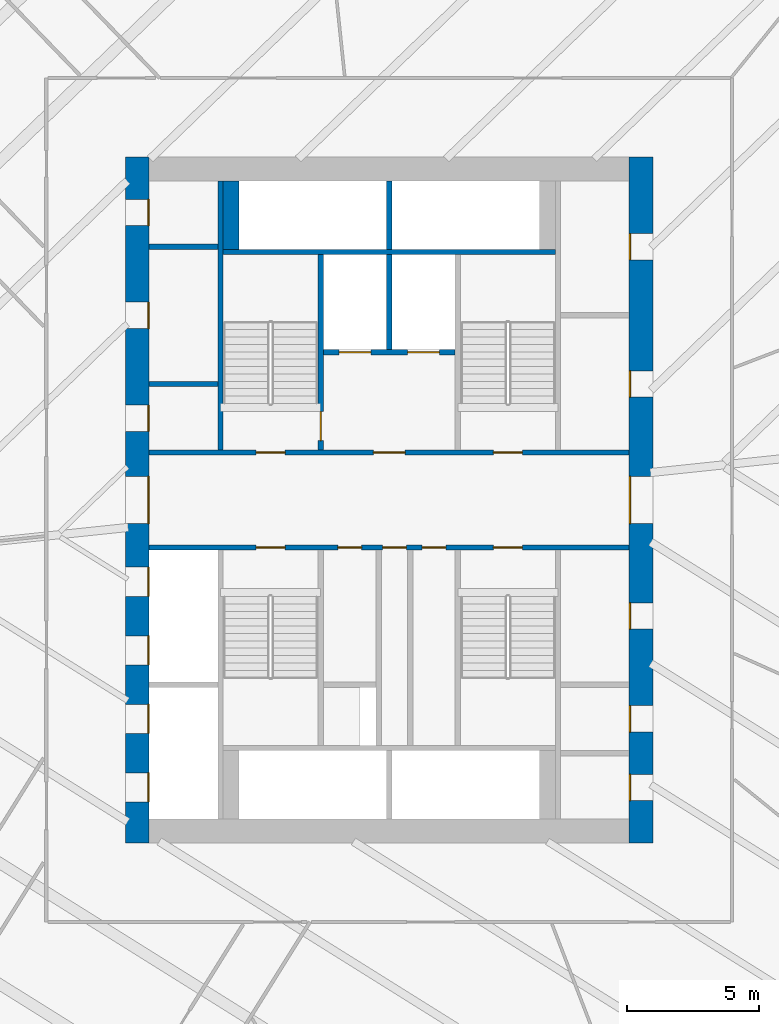
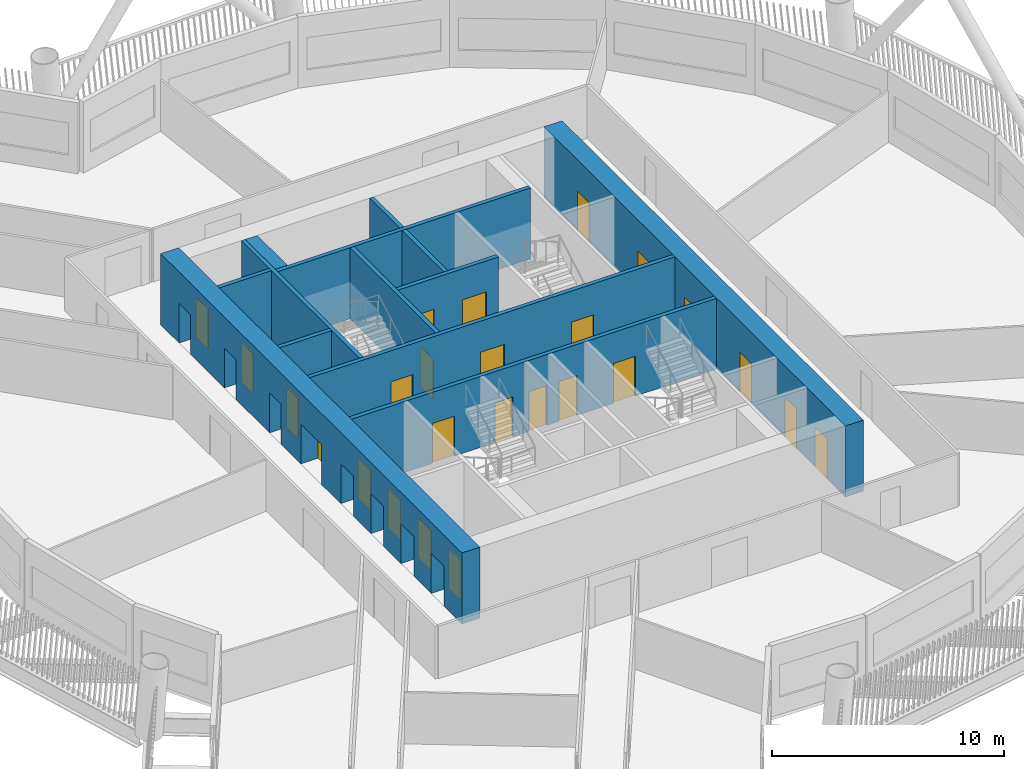
# One storey, part 5 of 22: 25 doors, 13 walls, 25 openings.
"""IFC4 building model written with IfcOpenShell, lengths in metres."""

from ifc_helpers import new_model, si_unit, direction, frame, frame_2d, origin, place, context, subcontext, project, spatial, rectangle, extrude, material, layer, layer_set, type_object, element, fill, save


model = new_model("IFC4")

# Units and contexts
model_context = context("Model", 3, precision=1e-05, world=origin(), true_north=direction((0.0, 1.0)))
body_context = subcontext(model_context, "Body", "Model", "MODEL_VIEW")
ifc_project = project(units=[si_unit("LENGTHUNIT", "METRE"), si_unit("AREAUNIT", "SQUARE_METRE"), si_unit("VOLUMEUNIT", "CUBIC_METRE"), si_unit("PLANEANGLEUNIT", "RADIAN"), si_unit("MASSUNIT", "GRAM", prefix="KILO")], contexts=[model_context])

# Site, building, storey
site_placement = place(None, origin())
site = spatial("IfcSite", under=ifc_project, at=site_placement, CompositionType="ELEMENT")
building_placement = place(site_placement, origin())
building = spatial("IfcBuilding", under=site, at=building_placement, Name="Tarsis Ring Headquarters", CompositionType="ELEMENT")
storey_placement = place(building_placement, frame((0.0, 0.0, 71.199951171875)))
storey = spatial("IfcBuildingStorey", under=building, at=storey_placement, Name="L15", CompositionType="ELEMENT", Elevation=71.199951171875)

# Walls
ifc_material_1 = material(Name="Blockwork", Category="masonry")
ifc_layer_1 = layer(ifc_material_1, 0.199951171875)
ifc_layer_set_1 = layer_set([ifc_layer_1], Name="Core blockwork wall 200")
wall_type_1 = type_object("IfcWallType", Name="Core blockwork wall 200", PredefinedType="PARTITIONING", material=ifc_layer_set_1)
for number, where, z_axis, x_axis, name in (
    (1, (-9.10009765625, 4.39990234375, 0.0), (0.0, 0.0, 1.0), (1.0, 0.0, 0.0), "Core partition WD5"),
    (2, (-9.10009765625, 9.60009765625, 0.0), (0.0, 0.0, 1.0), (1.0, 0.0, 0.0), "Core partition WD7"),
):
    element("IfcWall", number, at=place(storey_placement, frame(where, z_axis=z_axis, x_axis=x_axis)), inside=storey, type_object=wall_type_1, Name=name, PredefinedType="PARTITIONING", context=body_context, shape_type="SweptSolid", body=[
        extrude(rectangle(XDim=2.60009765625, YDim=0.199951171875, at=frame_2d((1.300048828125, 0.0))), origin(), (0.0, 0.0, 1.0), 3.739990234375),
    ])

# Wall, openings, doors
ifc_material_2 = material(Name="Concrete C60/75", Category="concrete")
ifc_layer_2 = layer(ifc_material_2, 0.89990234375)
ifc_layer_set_2 = layer_set([ifc_layer_2], Name="Core wall 900 C60/75")
wall_type_2 = type_object("IfcWallType", Name="Core wall 900 C60/75", PredefinedType="SHEAR", material=ifc_layer_set_2)
wall_1_placement = place(storey_placement, frame((-9.550048828125, -13.0, 0.0), z_axis=(0.0, 0.0, 1.0), x_axis=(0.0, 1.0, 0.0)))
wall_1 = element("IfcWall", 3, at=wall_1_placement, inside=storey, type_object=wall_type_2, Name="Core wall OW", PredefinedType="SHEAR", context=body_context, shape_type="SweptSolid", body=[
    extrude(rectangle(XDim=26.0, YDim=0.89990234375, at=frame_2d((13.0, 0.0))), origin(), (0.0, 0.0, 1.0), 3.739990234375),
])
opening_1_placement = place(wall_1_placement, frame((1.550048828125, 0.0, 0.0)))
opening_1 = element("IfcOpeningElement", 4, at=opening_1_placement, cuts=wall_1, Name="Opening LD-LR1", PredefinedType="OPENING", context=body_context, shape_type="SweptSolid", body=[
    extrude(rectangle(XDim=1.10009765625, YDim=2.10009765625, at=frame_2d((0.550048828125, 1.050048828125))), frame((0.0, 0.4599609375, 0.0), z_axis=(0.0, -1.0, 0.0), x_axis=(1.0, 0.0, 0.0)), (0.0, 0.0, 1.0), 0.919921875),
])
opening_2_placement = place(wall_1_placement, frame((4.14990234375, 0.0, 0.0)))
opening_2 = element("IfcOpeningElement", 5, at=opening_2_placement, cuts=wall_1, Name="Opening LD-LR2", PredefinedType="OPENING", context=body_context, shape_type="SweptSolid", body=[
    extrude(rectangle(XDim=1.10009765625, YDim=2.10009765625, at=frame_2d((0.550048828125, 1.050048828125))), frame((0.0, 0.4599609375, 0.0), z_axis=(0.0, -1.0, 0.0), x_axis=(1.0, 0.0, 0.0)), (0.0, 0.0, 1.0), 0.919921875),
])
opening_3_placement = place(wall_1_placement, frame((6.75, 0.0, 0.0)))
opening_3 = element("IfcOpeningElement", 6, at=opening_3_placement, cuts=wall_1, Name="Opening LD-LR3", PredefinedType="OPENING", context=body_context, shape_type="SweptSolid", body=[
    extrude(rectangle(XDim=1.10009765625, YDim=2.10009765625, at=frame_2d((0.550048828125, 1.050048828125))), frame((0.0, 0.4599609375, 0.0), z_axis=(0.0, -1.0, 0.0), x_axis=(1.0, 0.0, 0.0)), (0.0, 0.0, 1.0), 0.919921875),
])
opening_4_placement = place(wall_1_placement, frame((9.35009765625, 0.0, 0.0)))
opening_4 = element("IfcOpeningElement", 7, at=opening_4_placement, cuts=wall_1, Name="Opening LD-LR4", PredefinedType="OPENING", context=body_context, shape_type="SweptSolid", body=[
    extrude(rectangle(XDim=1.10009765625, YDim=2.10009765625, at=frame_2d((0.550048828125, 1.050048828125))), frame((0.0, 0.4599609375, 0.0), z_axis=(0.0, -1.0, 0.0), x_axis=(1.0, 0.0, 0.0)), (0.0, 0.0, 1.0), 0.919921875),
])
opening_5_placement = place(wall_1_placement, frame((12.10009765625, 0.0, 0.0)))
opening_5 = element("IfcOpeningElement", 8, at=opening_5_placement, cuts=wall_1, Name="Opening L15-C05", PredefinedType="OPENING", context=body_context, shape_type="SweptSolid", body=[
    extrude(rectangle(XDim=1.800048828125, YDim=2.10009765625, at=frame_2d((0.89990234375, 1.050048828125))), frame((0.0, 0.4599609375, 0.0), z_axis=(0.0, -1.0, 0.0), x_axis=(1.0, 0.0, 0.0)), (0.0, 0.0, 1.0), 0.919921875),
])
opening_6_placement = place(wall_1_placement, frame((15.60009765625, 0.0, 0.0)))
opening_6 = element("IfcOpeningElement", 9, at=opening_6_placement, cuts=wall_1, Name="Opening L15-C06", PredefinedType="OPENING", context=body_context, shape_type="SweptSolid", body=[
    extrude(rectangle(XDim=1.0, YDim=2.10009765625, at=frame_2d((0.5, 1.050048828125))), frame((0.0, 0.4599609375, 0.0), z_axis=(0.0, -1.0, 0.0), x_axis=(1.0, 0.0, 0.0)), (0.0, 0.0, 1.0), 0.919921875),
])
opening_7_placement = place(wall_1_placement, frame((19.5, 0.0, 0.0)))
opening_7 = element("IfcOpeningElement", 10, at=opening_7_placement, cuts=wall_1, Name="Opening L15-C07", PredefinedType="OPENING", context=body_context, shape_type="SweptSolid", body=[
    extrude(rectangle(XDim=1.0, YDim=2.10009765625, at=frame_2d((0.5, 1.050048828125))), frame((0.0, 0.4599609375, 0.0), z_axis=(0.0, -1.0, 0.0), x_axis=(1.0, 0.0, 0.0)), (0.0, 0.0, 1.0), 0.919921875),
])
opening_8_placement = place(wall_1_placement, frame((23.39990234375, 0.0, 0.0)))
opening_8 = element("IfcOpeningElement", 11, at=opening_8_placement, cuts=wall_1, Name="Opening L15-C08", PredefinedType="OPENING", context=body_context, shape_type="SweptSolid", body=[
    extrude(rectangle(XDim=1.0, YDim=2.10009765625, at=frame_2d((0.5, 1.050048828125))), frame((0.0, 0.4599609375, 0.0), z_axis=(0.0, -1.0, 0.0), x_axis=(1.0, 0.0, 0.0)), (0.0, 0.0, 1.0), 0.919921875),
])
ifc_material_3 = material(Name="Steel S355", Category="steel")
door_type_1 = type_object("IfcDoorType", Name="Core entry door 1800x2100", OperationType="DOUBLE_DOOR_SINGLE_SWING", PredefinedType="DOOR", material=ifc_material_3)
door_1_placement = place(opening_5_placement, origin())
door_1 = element("IfcDoor", 12, at=door_1_placement, inside=storey, type_object=door_type_1, Name="Core entry door L15", OperationType="DOUBLE_DOOR_SINGLE_SWING", OverallHeight=2.10009765625, OverallWidth=1.800048828125, PredefinedType="DOOR", context=body_context, shape_type="SweptSolid", body=[
    extrude(rectangle(XDim=1.800048828125, YDim=2.10009765625, at=frame_2d((0.89990234375, 1.050048828125))), frame((0.0, -0.39990234375, 0.0), z_axis=(0.0, -1.0, 0.0), x_axis=(1.0, 0.0, 0.0)), (0.0, 0.0, 1.0), 0.050048828125),
])
fill(opening_5, door_1)
door_type_2 = type_object("IfcDoorType", Name="Core room door 1000x2100", OperationType="SINGLE_SWING_LEFT", PredefinedType="DOOR", material=ifc_material_3)
door_2_placement = place(opening_6_placement, origin())
door_2 = element("IfcDoor", 13, at=door_2_placement, inside=storey, type_object=door_type_2, Name="Core room door L15", OperationType="SINGLE_SWING_LEFT", OverallHeight=2.10009765625, OverallWidth=1.0, PredefinedType="DOOR", context=body_context, shape_type="SweptSolid", body=[
    extrude(rectangle(XDim=1.0, YDim=2.10009765625, at=frame_2d((0.5, 1.050048828125))), frame((0.0, -0.39990234375, 0.0), z_axis=(0.0, -1.0, 0.0), x_axis=(1.0, 0.0, 0.0)), (0.0, 0.0, 1.0), 0.050048828125),
])
fill(opening_6, door_2)
door_3_placement = place(opening_7_placement, origin())
door_3 = element("IfcDoor", 14, at=door_3_placement, inside=storey, type_object=door_type_2, Name="Core room door L15", OperationType="SINGLE_SWING_LEFT", OverallHeight=2.10009765625, OverallWidth=1.0, PredefinedType="DOOR", context=body_context, shape_type="SweptSolid", body=[
    extrude(rectangle(XDim=1.0, YDim=2.10009765625, at=frame_2d((0.5, 1.050048828125))), frame((0.0, -0.39990234375, 0.0), z_axis=(0.0, -1.0, 0.0), x_axis=(1.0, 0.0, 0.0)), (0.0, 0.0, 1.0), 0.050048828125),
])
fill(opening_7, door_3)
door_4_placement = place(opening_8_placement, origin())
door_4 = element("IfcDoor", 15, at=door_4_placement, inside=storey, type_object=door_type_2, Name="Core room door L15", OperationType="SINGLE_SWING_LEFT", OverallHeight=2.10009765625, OverallWidth=1.0, PredefinedType="DOOR", context=body_context, shape_type="SweptSolid", body=[
    extrude(rectangle(XDim=1.0, YDim=2.10009765625, at=frame_2d((0.5, 1.050048828125))), frame((0.0, -0.39990234375, 0.0), z_axis=(0.0, -1.0, 0.0), x_axis=(1.0, 0.0, 0.0)), (0.0, 0.0, 1.0), 0.050048828125),
])
fill(opening_8, door_4)
door_type_3 = type_object("IfcDoorType", Name="Landing door 1100x2100", OperationType="SLIDING_TO_LEFT", PredefinedType="DOOR", material=ifc_material_3)
door_5_placement = place(opening_1_placement, origin())
door_5 = element("IfcDoor", 16, at=door_5_placement, inside=storey, type_object=door_type_3, Name="Landing door LR1 L15", OperationType="SLIDING_TO_LEFT", OverallHeight=2.10009765625, OverallWidth=1.10009765625, PredefinedType="DOOR", context=body_context, shape_type="SweptSolid", body=[
    extrude(rectangle(XDim=1.10009765625, YDim=2.10009765625, at=frame_2d((0.550048828125, 1.050048828125))), frame((0.0, -0.39990234375, 0.0), z_axis=(0.0, -1.0, 0.0), x_axis=(1.0, 0.0, 0.0)), (0.0, 0.0, 1.0), 0.050048828125),
])
fill(opening_1, door_5)
door_6_placement = place(opening_2_placement, origin())
door_6 = element("IfcDoor", 17, at=door_6_placement, inside=storey, type_object=door_type_3, Name="Landing door LR2 L15", OperationType="SLIDING_TO_LEFT", OverallHeight=2.10009765625, OverallWidth=1.10009765625, PredefinedType="DOOR", context=body_context, shape_type="SweptSolid", body=[
    extrude(rectangle(XDim=1.10009765625, YDim=2.10009765625, at=frame_2d((0.550048828125, 1.050048828125))), frame((0.0, -0.39990234375, 0.0), z_axis=(0.0, -1.0, 0.0), x_axis=(1.0, 0.0, 0.0)), (0.0, 0.0, 1.0), 0.050048828125),
])
fill(opening_2, door_6)
door_7_placement = place(opening_3_placement, origin())
door_7 = element("IfcDoor", 18, at=door_7_placement, inside=storey, type_object=door_type_3, Name="Landing door LR3 L15", OperationType="SLIDING_TO_LEFT", OverallHeight=2.10009765625, OverallWidth=1.10009765625, PredefinedType="DOOR", context=body_context, shape_type="SweptSolid", body=[
    extrude(rectangle(XDim=1.10009765625, YDim=2.10009765625, at=frame_2d((0.550048828125, 1.050048828125))), frame((0.0, -0.39990234375, 0.0), z_axis=(0.0, -1.0, 0.0), x_axis=(1.0, 0.0, 0.0)), (0.0, 0.0, 1.0), 0.050048828125),
])
fill(opening_3, door_7)
door_8_placement = place(opening_4_placement, origin())
door_8 = element("IfcDoor", 19, at=door_8_placement, inside=storey, type_object=door_type_3, Name="Landing door LR4 L15", OperationType="SLIDING_TO_LEFT", OverallHeight=2.10009765625, OverallWidth=1.10009765625, PredefinedType="DOOR", context=body_context, shape_type="SweptSolid", body=[
    extrude(rectangle(XDim=1.10009765625, YDim=2.10009765625, at=frame_2d((0.550048828125, 1.050048828125))), frame((0.0, -0.39990234375, 0.0), z_axis=(0.0, -1.0, 0.0), x_axis=(1.0, 0.0, 0.0)), (0.0, 0.0, 1.0), 0.050048828125),
])
fill(opening_4, door_8)

wall_2_placement = place(storey_placement, frame((9.550048828125, -13.0, 0.0), z_axis=(0.0, 0.0, 1.0), x_axis=(0.0, 1.0, 0.0)))
wall_2 = element("IfcWall", 20, at=wall_2_placement, inside=storey, type_object=wall_type_2, Name="Core wall OE", PredefinedType="SHEAR", context=body_context, shape_type="SweptSolid", body=[
    extrude(rectangle(XDim=26.0, YDim=0.89990234375, at=frame_2d((13.0, 0.0))), origin(), (0.0, 0.0, 1.0), 3.739990234375),
])
opening_9_placement = place(wall_2_placement, frame((1.60009765625, 0.0, 0.0)))
opening_9 = element("IfcOpeningElement", 21, at=opening_9_placement, cuts=wall_2, Name="Opening L15-C09", PredefinedType="OPENING", context=body_context, shape_type="SweptSolid", body=[
    extrude(rectangle(XDim=1.0, YDim=2.10009765625, at=frame_2d((0.5, 1.050048828125))), frame((0.0, 0.4599609375, 0.0), z_axis=(0.0, -1.0, 0.0), x_axis=(1.0, 0.0, 0.0)), (0.0, 0.0, 1.0), 0.919921875),
])
opening_10_placement = place(wall_2_placement, frame((4.199951171875, 0.0, 0.0)))
opening_10 = element("IfcOpeningElement", 22, at=opening_10_placement, cuts=wall_2, Name="Opening L15-C10", PredefinedType="OPENING", context=body_context, shape_type="SweptSolid", body=[
    extrude(rectangle(XDim=1.0, YDim=2.10009765625, at=frame_2d((0.5, 1.050048828125))), frame((0.0, 0.4599609375, 0.0), z_axis=(0.0, -1.0, 0.0), x_axis=(1.0, 0.0, 0.0)), (0.0, 0.0, 1.0), 0.919921875),
])
opening_11_placement = place(wall_2_placement, frame((8.10009765625, 0.0, 0.0)))
opening_11 = element("IfcOpeningElement", 23, at=opening_11_placement, cuts=wall_2, Name="Opening L15-C11", PredefinedType="OPENING", context=body_context, shape_type="SweptSolid", body=[
    extrude(rectangle(XDim=1.0, YDim=2.10009765625, at=frame_2d((0.5, 1.050048828125))), frame((0.0, 0.4599609375, 0.0), z_axis=(0.0, -1.0, 0.0), x_axis=(1.0, 0.0, 0.0)), (0.0, 0.0, 1.0), 0.919921875),
])
opening_12_placement = place(wall_2_placement, frame((12.10009765625, 0.0, 0.0)))
opening_12 = element("IfcOpeningElement", 24, at=opening_12_placement, cuts=wall_2, Name="Opening L15-C12", PredefinedType="OPENING", context=body_context, shape_type="SweptSolid", body=[
    extrude(rectangle(XDim=1.800048828125, YDim=2.10009765625, at=frame_2d((0.89990234375, 1.050048828125))), frame((0.0, 0.4599609375, 0.0), z_axis=(0.0, -1.0, 0.0), x_axis=(1.0, 0.0, 0.0)), (0.0, 0.0, 1.0), 0.919921875),
])
opening_13_placement = place(wall_2_placement, frame((16.89990234375, 0.0, 0.0)))
opening_13 = element("IfcOpeningElement", 25, at=opening_13_placement, cuts=wall_2, Name="Opening L15-C13", PredefinedType="OPENING", context=body_context, shape_type="SweptSolid", body=[
    extrude(rectangle(XDim=1.0, YDim=2.10009765625, at=frame_2d((0.5, 1.050048828125))), frame((0.0, 0.4599609375, 0.0), z_axis=(0.0, -1.0, 0.0), x_axis=(1.0, 0.0, 0.0)), (0.0, 0.0, 1.0), 0.919921875),
])
opening_14_placement = place(wall_2_placement, frame((22.10009765625, 0.0, 0.0)))
opening_14 = element("IfcOpeningElement", 26, at=opening_14_placement, cuts=wall_2, Name="Opening L15-C14", PredefinedType="OPENING", context=body_context, shape_type="SweptSolid", body=[
    extrude(rectangle(XDim=1.0, YDim=2.10009765625, at=frame_2d((0.5, 1.050048828125))), frame((0.0, 0.4599609375, 0.0), z_axis=(0.0, -1.0, 0.0), x_axis=(1.0, 0.0, 0.0)), (0.0, 0.0, 1.0), 0.919921875),
])
door_9_placement = place(opening_12_placement, origin())
door_9 = element("IfcDoor", 27, at=door_9_placement, inside=storey, type_object=door_type_1, Name="Core entry door L15", OperationType="DOUBLE_DOOR_SINGLE_SWING", OverallHeight=2.10009765625, OverallWidth=1.800048828125, PredefinedType="DOOR", context=body_context, shape_type="SweptSolid", body=[
    extrude(rectangle(XDim=1.800048828125, YDim=2.10009765625, at=frame_2d((0.89990234375, 1.050048828125))), frame((0.0, 0.4501953125, 0.0), z_axis=(0.0, -1.0, 0.0), x_axis=(1.0, 0.0, 0.0)), (0.0, 0.0, 1.0), 0.050048828125),
])
fill(opening_12, door_9)
door_10_placement = place(opening_9_placement, origin())
door_10 = element("IfcDoor", 28, at=door_10_placement, inside=storey, type_object=door_type_2, Name="Core room door L15", OperationType="SINGLE_SWING_LEFT", OverallHeight=2.10009765625, OverallWidth=1.0, PredefinedType="DOOR", context=body_context, shape_type="SweptSolid", body=[
    extrude(rectangle(XDim=1.0, YDim=2.10009765625, at=frame_2d((0.5, 1.050048828125))), frame((0.0, 0.4501953125, 0.0), z_axis=(0.0, -1.0, 0.0), x_axis=(1.0, 0.0, 0.0)), (0.0, 0.0, 1.0), 0.050048828125),
])
fill(opening_9, door_10)
door_11_placement = place(opening_10_placement, origin())
door_11 = element("IfcDoor", 29, at=door_11_placement, inside=storey, type_object=door_type_2, Name="Core room door L15", OperationType="SINGLE_SWING_LEFT", OverallHeight=2.10009765625, OverallWidth=1.0, PredefinedType="DOOR", context=body_context, shape_type="SweptSolid", body=[
    extrude(rectangle(XDim=1.0, YDim=2.10009765625, at=frame_2d((0.5, 1.050048828125))), frame((0.0, 0.4501953125, 0.0), z_axis=(0.0, -1.0, 0.0), x_axis=(1.0, 0.0, 0.0)), (0.0, 0.0, 1.0), 0.050048828125),
])
fill(opening_10, door_11)
door_12_placement = place(opening_11_placement, origin())
door_12 = element("IfcDoor", 30, at=door_12_placement, inside=storey, type_object=door_type_2, Name="Core room door L15", OperationType="SINGLE_SWING_LEFT", OverallHeight=2.10009765625, OverallWidth=1.0, PredefinedType="DOOR", context=body_context, shape_type="SweptSolid", body=[
    extrude(rectangle(XDim=1.0, YDim=2.10009765625, at=frame_2d((0.5, 1.050048828125))), frame((0.0, 0.4501953125, 0.0), z_axis=(0.0, -1.0, 0.0), x_axis=(1.0, 0.0, 0.0)), (0.0, 0.0, 1.0), 0.050048828125),
])
fill(opening_11, door_12)
door_13_placement = place(opening_13_placement, origin())
door_13 = element("IfcDoor", 31, at=door_13_placement, inside=storey, type_object=door_type_2, Name="Core room door L15", OperationType="SINGLE_SWING_LEFT", OverallHeight=2.10009765625, OverallWidth=1.0, PredefinedType="DOOR", context=body_context, shape_type="SweptSolid", body=[
    extrude(rectangle(XDim=1.0, YDim=2.10009765625, at=frame_2d((0.5, 1.050048828125))), frame((0.0, 0.4501953125, 0.0), z_axis=(0.0, -1.0, 0.0), x_axis=(1.0, 0.0, 0.0)), (0.0, 0.0, 1.0), 0.050048828125),
])
fill(opening_13, door_13)
door_14_placement = place(opening_14_placement, origin())
door_14 = element("IfcDoor", 32, at=door_14_placement, inside=storey, type_object=door_type_2, Name="Core room door L15", OperationType="SINGLE_SWING_LEFT", OverallHeight=2.10009765625, OverallWidth=1.0, PredefinedType="DOOR", context=body_context, shape_type="SweptSolid", body=[
    extrude(rectangle(XDim=1.0, YDim=2.10009765625, at=frame_2d((0.5, 1.050048828125))), frame((0.0, 0.4501953125, 0.0), z_axis=(0.0, -1.0, 0.0), x_axis=(1.0, 0.0, 0.0)), (0.0, 0.0, 1.0), 0.050048828125),
])
fill(opening_14, door_14)

# Wall
ifc_material_4 = material(Name="Concrete C32/40", Category="concrete")
ifc_layer_3 = layer(ifc_material_4, 0.60009765625)
ifc_layer_set_3 = layer_set([ifc_layer_3], Name="Shaft end wall 600 C32/40")
wall_type_3 = type_object("IfcWallType", Name="Shaft end wall 600 C32/40", PredefinedType="SOLIDWALL", material=ifc_layer_set_3)
wall_3_placement = place(storey_placement, frame((-6.0, 9.5, 0.0), z_axis=(0.0, 0.0, 1.0), x_axis=(0.0, 1.0, 0.0)))
element("IfcWall", 33, at=wall_3_placement, inside=storey, type_object=wall_type_3, Name="Core shaft wall NNE1", PredefinedType="SOLIDWALL", context=body_context, shape_type="SweptSolid", body=[
    extrude(rectangle(XDim=2.60009765625, YDim=0.60009765625, at=frame_2d((1.300048828125, 0.0))), origin(), (0.0, 0.0, 1.0), 3.739990234375),
])

# Wall, openings, doors
ifc_layer_4 = layer(ifc_material_4, 0.199951171875)
ifc_layer_set_4 = layer_set([ifc_layer_4], Name="Shaft wall 200 C32/40")
wall_type_4 = type_object("IfcWallType", Name="Shaft wall 200 C32/40", PredefinedType="SOLIDWALL", material=ifc_layer_set_4)
wall_4_placement = place(storey_placement, frame((-9.10009765625, 1.800048828125, 0.0), z_axis=(0.0, 0.0, 1.0), x_axis=(1.0, 0.0, 0.0)))
wall_4 = element("IfcWall", 34, at=wall_4_placement, inside=storey, type_object=wall_type_4, Name="Core shaft wall CN", PredefinedType="SOLIDWALL", context=body_context, shape_type="SweptSolid", body=[
    extrude(rectangle(XDim=18.2001953125, YDim=0.199951171875, at=frame_2d((9.10009765625, 0.0))), origin(), (0.0, 0.0, 1.0), 3.739990234375),
])
opening_15_placement = place(wall_4_placement, frame((4.050048828125, 0.0, 0.0)))
opening_15 = element("IfcOpeningElement", 35, at=opening_15_placement, cuts=wall_4, Name="Opening L15-C15", PredefinedType="OPENING", context=body_context, shape_type="SweptSolid", body=[
    extrude(rectangle(XDim=1.10009765625, YDim=2.10009765625, at=frame_2d((0.550048828125, 1.050048828125))), frame((0.0, 0.10986328125, 0.0), z_axis=(0.0, -1.0, 0.0), x_axis=(1.0, 0.0, 0.0)), (0.0, 0.0, 1.0), 0.219970703125),
])
opening_16_placement = place(wall_4_placement, frame((8.5, 0.0, 0.0)))
opening_16 = element("IfcOpeningElement", 36, at=opening_16_placement, cuts=wall_4, Name="Opening L15-C16", PredefinedType="OPENING", context=body_context, shape_type="SweptSolid", body=[
    extrude(rectangle(XDim=1.199951171875, YDim=2.10009765625, at=frame_2d((0.60009765625, 1.050048828125))), frame((0.0, 0.10986328125, 0.0), z_axis=(0.0, -1.0, 0.0), x_axis=(1.0, 0.0, 0.0)), (0.0, 0.0, 1.0), 0.219970703125),
])
opening_17_placement = place(wall_4_placement, frame((13.050048828125, 0.0, 0.0)))
opening_17 = element("IfcOpeningElement", 37, at=opening_17_placement, cuts=wall_4, Name="Opening L15-C17", PredefinedType="OPENING", context=body_context, shape_type="SweptSolid", body=[
    extrude(rectangle(XDim=1.10009765625, YDim=2.10009765625, at=frame_2d((0.550048828125, 1.050048828125))), frame((0.0, 0.10986328125, 0.0), z_axis=(0.0, -1.0, 0.0), x_axis=(1.0, 0.0, 0.0)), (0.0, 0.0, 1.0), 0.219970703125),
])
door_type_4 = type_object("IfcDoorType", Name="Firefighting lobby door 1200x2100", OperationType="DOUBLE_DOOR_SINGLE_SWING", PredefinedType="DOOR", material=ifc_material_3)
door_15_placement = place(opening_16_placement, origin())
door_15 = element("IfcDoor", 38, at=door_15_placement, inside=storey, type_object=door_type_4, Name="Firefighting lobby door L15", OperationType="DOUBLE_DOOR_SINGLE_SWING", OverallHeight=2.10009765625, OverallWidth=1.199951171875, PredefinedType="DOOR", context=body_context, shape_type="SweptSolid", body=[
    extrude(rectangle(XDim=1.199951171875, YDim=2.10009765625, at=frame_2d((0.60009765625, 1.050048828125))), frame((0.0, 0.02490234375, 0.0), z_axis=(0.0, -1.0, 0.0), x_axis=(1.0, 0.0, 0.0)), (0.0, 0.0, 1.0), 0.050048828125),
])
fill(opening_16, door_15)
door_type_5 = type_object("IfcDoorType", Name="Stair door 1100x2100", OperationType="SINGLE_SWING_LEFT", PredefinedType="DOOR", material=ifc_material_3)
door_16_placement = place(opening_15_placement, origin())
door_16 = element("IfcDoor", 39, at=door_16_placement, inside=storey, type_object=door_type_5, Name="Stair door L15", OperationType="SINGLE_SWING_LEFT", OverallHeight=2.10009765625, OverallWidth=1.10009765625, PredefinedType="DOOR", context=body_context, shape_type="SweptSolid", body=[
    extrude(rectangle(XDim=1.10009765625, YDim=2.10009765625, at=frame_2d((0.550048828125, 1.050048828125))), frame((0.0, 0.02490234375, 0.0), z_axis=(0.0, -1.0, 0.0), x_axis=(1.0, 0.0, 0.0)), (0.0, 0.0, 1.0), 0.050048828125),
])
fill(opening_15, door_16)
door_17_placement = place(opening_17_placement, origin())
door_17 = element("IfcDoor", 40, at=door_17_placement, inside=storey, type_object=door_type_5, Name="Stair door L15", OperationType="SINGLE_SWING_LEFT", OverallHeight=2.10009765625, OverallWidth=1.10009765625, PredefinedType="DOOR", context=body_context, shape_type="SweptSolid", body=[
    extrude(rectangle(XDim=1.10009765625, YDim=2.10009765625, at=frame_2d((0.550048828125, 1.050048828125))), frame((0.0, 0.02490234375, 0.0), z_axis=(0.0, -1.0, 0.0), x_axis=(1.0, 0.0, 0.0)), (0.0, 0.0, 1.0), 0.050048828125),
])
fill(opening_17, door_17)

wall_5_placement = place(storey_placement, frame((-9.10009765625, -1.800048828125, 0.0), z_axis=(0.0, 0.0, 1.0), x_axis=(1.0, 0.0, 0.0)))
wall_5 = element("IfcWall", 41, at=wall_5_placement, inside=storey, type_object=wall_type_4, Name="Core shaft wall CS", PredefinedType="SOLIDWALL", context=body_context, shape_type="SweptSolid", body=[
    extrude(rectangle(XDim=18.2001953125, YDim=0.199951171875, at=frame_2d((9.10009765625, 0.0))), origin(), (0.0, 0.0, 1.0), 3.739990234375),
])
opening_18_placement = place(wall_5_placement, frame((4.050048828125, 0.0, 0.0)))
opening_18 = element("IfcOpeningElement", 42, at=opening_18_placement, cuts=wall_5, Name="Opening L15-C18", PredefinedType="OPENING", context=body_context, shape_type="SweptSolid", body=[
    extrude(rectangle(XDim=1.10009765625, YDim=2.10009765625, at=frame_2d((0.550048828125, 1.050048828125))), frame((0.0, 0.10986328125, 0.0), z_axis=(0.0, -1.0, 0.0), x_axis=(1.0, 0.0, 0.0)), (0.0, 0.0, 1.0), 0.219970703125),
])
opening_19_placement = place(wall_5_placement, frame((7.14990234375, 0.0, 0.0)))
opening_19 = element("IfcOpeningElement", 43, at=opening_19_placement, cuts=wall_5, Name="Opening L15-C19", PredefinedType="OPENING", context=body_context, shape_type="SweptSolid", body=[
    extrude(rectangle(XDim=0.89990234375, YDim=2.10009765625, at=frame_2d((0.449951171875, 1.050048828125))), frame((0.0, 0.10986328125, 0.0), z_axis=(0.0, -1.0, 0.0), x_axis=(1.0, 0.0, 0.0)), (0.0, 0.0, 1.0), 0.219970703125),
])
opening_20_placement = place(wall_5_placement, frame((8.85009765625, 0.0, 0.0)))
opening_20 = element("IfcOpeningElement", 44, at=opening_20_placement, cuts=wall_5, Name="Opening L15-C20", PredefinedType="OPENING", context=body_context, shape_type="SweptSolid", body=[
    extrude(rectangle(XDim=0.89990234375, YDim=2.10009765625, at=frame_2d((0.449951171875, 1.050048828125))), frame((0.0, 0.10986328125, 0.0), z_axis=(0.0, -1.0, 0.0), x_axis=(1.0, 0.0, 0.0)), (0.0, 0.0, 1.0), 0.219970703125),
])
opening_21_placement = place(wall_5_placement, frame((10.35009765625, 0.0, 0.0)))
opening_21 = element("IfcOpeningElement", 45, at=opening_21_placement, cuts=wall_5, Name="Opening L15-C21", PredefinedType="OPENING", context=body_context, shape_type="SweptSolid", body=[
    extrude(rectangle(XDim=0.89990234375, YDim=2.10009765625, at=frame_2d((0.449951171875, 1.050048828125))), frame((0.0, 0.10986328125, 0.0), z_axis=(0.0, -1.0, 0.0), x_axis=(1.0, 0.0, 0.0)), (0.0, 0.0, 1.0), 0.219970703125),
])
opening_22_placement = place(wall_5_placement, frame((13.050048828125, 0.0, 0.0)))
opening_22 = element("IfcOpeningElement", 46, at=opening_22_placement, cuts=wall_5, Name="Opening L15-C22", PredefinedType="OPENING", context=body_context, shape_type="SweptSolid", body=[
    extrude(rectangle(XDim=1.10009765625, YDim=2.10009765625, at=frame_2d((0.550048828125, 1.050048828125))), frame((0.0, 0.10986328125, 0.0), z_axis=(0.0, -1.0, 0.0), x_axis=(1.0, 0.0, 0.0)), (0.0, 0.0, 1.0), 0.219970703125),
])
door_18_placement = place(opening_18_placement, origin())
door_18 = element("IfcDoor", 47, at=door_18_placement, inside=storey, type_object=door_type_5, Name="Stair door L15", OperationType="SINGLE_SWING_LEFT", OverallHeight=2.10009765625, OverallWidth=1.10009765625, PredefinedType="DOOR", context=body_context, shape_type="SweptSolid", body=[
    extrude(rectangle(XDim=1.10009765625, YDim=2.10009765625, at=frame_2d((0.550048828125, 1.050048828125))), frame((0.0, 0.02490234375, 0.0), z_axis=(0.0, -1.0, 0.0), x_axis=(1.0, 0.0, 0.0)), (0.0, 0.0, 1.0), 0.050048828125),
])
fill(opening_18, door_18)
door_19_placement = place(opening_22_placement, origin())
door_19 = element("IfcDoor", 48, at=door_19_placement, inside=storey, type_object=door_type_5, Name="Stair door L15", OperationType="SINGLE_SWING_LEFT", OverallHeight=2.10009765625, OverallWidth=1.10009765625, PredefinedType="DOOR", context=body_context, shape_type="SweptSolid", body=[
    extrude(rectangle(XDim=1.10009765625, YDim=2.10009765625, at=frame_2d((0.550048828125, 1.050048828125))), frame((0.0, 0.02490234375, 0.0), z_axis=(0.0, -1.0, 0.0), x_axis=(1.0, 0.0, 0.0)), (0.0, 0.0, 1.0), 0.050048828125),
])
fill(opening_22, door_19)
door_type_6 = type_object("IfcDoorType", Name="WC door 900x2100", OperationType="SINGLE_SWING_LEFT", PredefinedType="DOOR", material=ifc_material_3)
door_20_placement = place(opening_19_placement, origin())
door_20 = element("IfcDoor", 49, at=door_20_placement, inside=storey, type_object=door_type_6, Name="WC door L15", OperationType="SINGLE_SWING_LEFT", OverallHeight=2.10009765625, OverallWidth=0.89990234375, PredefinedType="DOOR", context=body_context, shape_type="SweptSolid", body=[
    extrude(rectangle(XDim=0.89990234375, YDim=2.10009765625, at=frame_2d((0.449951171875, 1.050048828125))), frame((0.0, 0.02490234375, 0.0), z_axis=(0.0, -1.0, 0.0), x_axis=(1.0, 0.0, 0.0)), (0.0, 0.0, 1.0), 0.050048828125),
])
fill(opening_19, door_20)
door_21_placement = place(opening_20_placement, origin())
door_21 = element("IfcDoor", 50, at=door_21_placement, inside=storey, type_object=door_type_6, Name="WC door L15", OperationType="SINGLE_SWING_LEFT", OverallHeight=2.10009765625, OverallWidth=0.89990234375, PredefinedType="DOOR", context=body_context, shape_type="SweptSolid", body=[
    extrude(rectangle(XDim=0.89990234375, YDim=2.10009765625, at=frame_2d((0.449951171875, 1.050048828125))), frame((0.0, 0.02490234375, 0.0), z_axis=(0.0, -1.0, 0.0), x_axis=(1.0, 0.0, 0.0)), (0.0, 0.0, 1.0), 0.050048828125),
])
fill(opening_20, door_21)
door_22_placement = place(opening_21_placement, origin())
door_22 = element("IfcDoor", 51, at=door_22_placement, inside=storey, type_object=door_type_6, Name="WC door L15", OperationType="SINGLE_SWING_LEFT", OverallHeight=2.10009765625, OverallWidth=0.89990234375, PredefinedType="DOOR", context=body_context, shape_type="SweptSolid", body=[
    extrude(rectangle(XDim=0.89990234375, YDim=2.10009765625, at=frame_2d((0.449951171875, 1.050048828125))), frame((0.0, 0.02490234375, 0.0), z_axis=(0.0, -1.0, 0.0), x_axis=(1.0, 0.0, 0.0)), (0.0, 0.0, 1.0), 0.050048828125),
])
fill(opening_21, door_22)

# Walls
wall_6_placement = place(storey_placement, frame((-6.39990234375, 1.89990234375, 0.0), z_axis=(0.0, 0.0, 1.0), x_axis=(0.0, 1.0, 0.0)))
element("IfcWall", 52, at=wall_6_placement, inside=storey, type_object=wall_type_4, Name="Core shaft wall WB2", PredefinedType="SOLIDWALL", context=body_context, shape_type="SweptSolid", body=[
    extrude(rectangle(XDim=10.2001953125, YDim=0.199951171875, at=frame_2d((5.10009765625, 0.0))), origin(), (0.0, 0.0, 1.0), 3.739990234375),
])
wall_7_placement = place(storey_placement, frame((-6.300048828125, 9.39990234375, 0.0), z_axis=(0.0, 0.0, 1.0), x_axis=(1.0, 0.0, 0.0)))
element("IfcWall", 53, at=wall_7_placement, inside=storey, type_object=wall_type_4, Name="Core shaft wall NB", PredefinedType="SOLIDWALL", context=body_context, shape_type="SweptSolid", body=[
    extrude(rectangle(XDim=12.60009765625, YDim=0.199951171875, at=frame_2d((6.300048828125, 0.0))), origin(), (0.0, 0.0, 1.0), 3.739990234375),
])

# Wall, opening, door
wall_8_placement = place(storey_placement, frame((-2.60009765625, 1.89990234375, 0.0), z_axis=(0.0, 0.0, 1.0), x_axis=(0.0, 1.0, 0.0)))
wall_8 = element("IfcWall", 54, at=wall_8_placement, inside=storey, type_object=wall_type_4, Name="Core shaft wall SW1", PredefinedType="SOLIDWALL", context=body_context, shape_type="SweptSolid", body=[
    extrude(rectangle(XDim=7.400146484375, YDim=0.199951171875, at=frame_2d((3.7001953125, 0.0))), origin(), (0.0, 0.0, 1.0), 3.739990234375),
])
opening_23_placement = place(wall_8_placement, frame((0.35009765625, 0.0, 0.0)))
opening_23 = element("IfcOpeningElement", 55, at=opening_23_placement, cuts=wall_8, Name="Opening L15-C23", PredefinedType="OPENING", context=body_context, shape_type="SweptSolid", body=[
    extrude(rectangle(XDim=1.10009765625, YDim=2.10009765625, at=frame_2d((0.550048828125, 1.050048828125))), frame((0.0, 0.10986328125, 0.0), z_axis=(0.0, -1.0, 0.0), x_axis=(1.0, 0.0, 0.0)), (0.0, 0.0, 1.0), 0.219970703125),
])
door_23_placement = place(opening_23_placement, origin())
door_23 = element("IfcDoor", 56, at=door_23_placement, inside=storey, type_object=door_type_5, Name="Stair door L15", OperationType="SINGLE_SWING_LEFT", OverallHeight=2.10009765625, OverallWidth=1.10009765625, PredefinedType="DOOR", context=body_context, shape_type="SweptSolid", body=[
    extrude(rectangle(XDim=1.10009765625, YDim=2.10009765625, at=frame_2d((0.550048828125, 1.050048828125))), frame((0.0, 0.02490234375, 0.0), z_axis=(0.0, -1.0, 0.0), x_axis=(1.0, 0.0, 0.0)), (0.0, 0.0, 1.0), 0.050048828125),
])
fill(opening_23, door_23)

# Wall, openings, doors
wall_9_placement = place(storey_placement, frame((-2.5, 5.60009765625, 0.0), z_axis=(0.0, 0.0, 1.0), x_axis=(1.0, 0.0, 0.0)))
wall_9 = element("IfcWall", 57, at=wall_9_placement, inside=storey, type_object=wall_type_4, Name="Core shaft wall FFN", PredefinedType="SOLIDWALL", context=body_context, shape_type="SweptSolid", body=[
    extrude(rectangle(XDim=5.0, YDim=0.199951171875, at=frame_2d((2.5, 0.0))), origin(), (0.0, 0.0, 1.0), 3.739990234375),
])
opening_24_placement = place(wall_9_placement, frame((0.60009765625, 0.0, 0.0)))
opening_24 = element("IfcOpeningElement", 58, at=opening_24_placement, cuts=wall_9, Name="Opening LDF-1", PredefinedType="OPENING", context=body_context, shape_type="SweptSolid", body=[
    extrude(rectangle(XDim=1.199951171875, YDim=2.10009765625, at=frame_2d((0.60009765625, 1.050048828125))), frame((0.0, 0.10986328125, 0.0), z_axis=(0.0, -1.0, 0.0), x_axis=(1.0, 0.0, 0.0)), (0.0, 0.0, 1.0), 0.219970703125),
])
opening_25_placement = place(wall_9_placement, frame((3.199951171875, 0.0, 0.0)))
opening_25 = element("IfcOpeningElement", 59, at=opening_25_placement, cuts=wall_9, Name="Opening LDF-2", PredefinedType="OPENING", context=body_context, shape_type="SweptSolid", body=[
    extrude(rectangle(XDim=1.199951171875, YDim=2.10009765625, at=frame_2d((0.60009765625, 1.050048828125))), frame((0.0, 0.10986328125, 0.0), z_axis=(0.0, -1.0, 0.0), x_axis=(1.0, 0.0, 0.0)), (0.0, 0.0, 1.0), 0.219970703125),
])
door_type_7 = type_object("IfcDoorType", Name="Firefighting landing door 1200x2100", OperationType="SLIDING_TO_LEFT", PredefinedType="DOOR", material=ifc_material_3)
door_24_placement = place(opening_24_placement, origin())
door_24 = element("IfcDoor", 60, at=door_24_placement, inside=storey, type_object=door_type_7, Name="Landing door FF1 L15", OperationType="SLIDING_TO_LEFT", OverallHeight=2.10009765625, OverallWidth=1.199951171875, PredefinedType="DOOR", context=body_context, shape_type="SweptSolid", body=[
    extrude(rectangle(XDim=1.199951171875, YDim=2.10009765625, at=frame_2d((0.60009765625, 1.050048828125))), frame((0.0, 0.02490234375, 0.0), z_axis=(0.0, -1.0, 0.0), x_axis=(1.0, 0.0, 0.0)), (0.0, 0.0, 1.0), 0.050048828125),
])
fill(opening_24, door_24)
door_25_placement = place(opening_25_placement, origin())
door_25 = element("IfcDoor", 61, at=door_25_placement, inside=storey, type_object=door_type_7, Name="Landing door FF2 L15", OperationType="SLIDING_TO_LEFT", OverallHeight=2.10009765625, OverallWidth=1.199951171875, PredefinedType="DOOR", context=body_context, shape_type="SweptSolid", body=[
    extrude(rectangle(XDim=1.199951171875, YDim=2.10009765625, at=frame_2d((0.60009765625, 1.050048828125))), frame((0.0, 0.02490234375, 0.0), z_axis=(0.0, -1.0, 0.0), x_axis=(1.0, 0.0, 0.0)), (0.0, 0.0, 1.0), 0.050048828125),
])
fill(opening_25, door_25)

# Walls
wall_10_placement = place(storey_placement, frame((0.0, 5.699951171875, 0.0), z_axis=(0.0, 0.0, 1.0), x_axis=(0.0, 1.0, 0.0)))
element("IfcWall", 62, at=wall_10_placement, inside=storey, type_object=wall_type_4, Name="Core shaft wall FFD", PredefinedType="SOLIDWALL", context=body_context, shape_type="SweptSolid", body=[
    extrude(rectangle(XDim=3.60009765625, YDim=0.199951171875, at=frame_2d((1.800048828125, 0.0))), origin(), (0.0, 0.0, 1.0), 3.739990234375),
])
wall_11_placement = place(storey_placement, frame((0.0, 9.5, 0.0), z_axis=(0.0, 0.0, 1.0), x_axis=(0.0, 1.0, 0.0)))
element("IfcWall", 63, at=wall_11_placement, inside=storey, type_object=wall_type_4, Name="Core shaft wall ND2", PredefinedType="SOLIDWALL", context=body_context, shape_type="SweptSolid", body=[
    extrude(rectangle(XDim=2.60009765625, YDim=0.199951171875, at=frame_2d((1.300048828125, 0.0))), origin(), (0.0, 0.0, 1.0), 3.739990234375),
])

save(model, "model.ifc")
